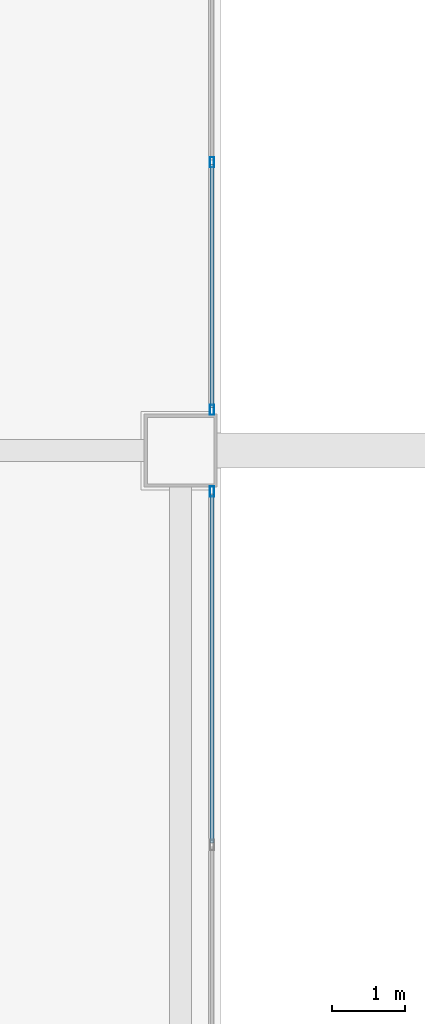
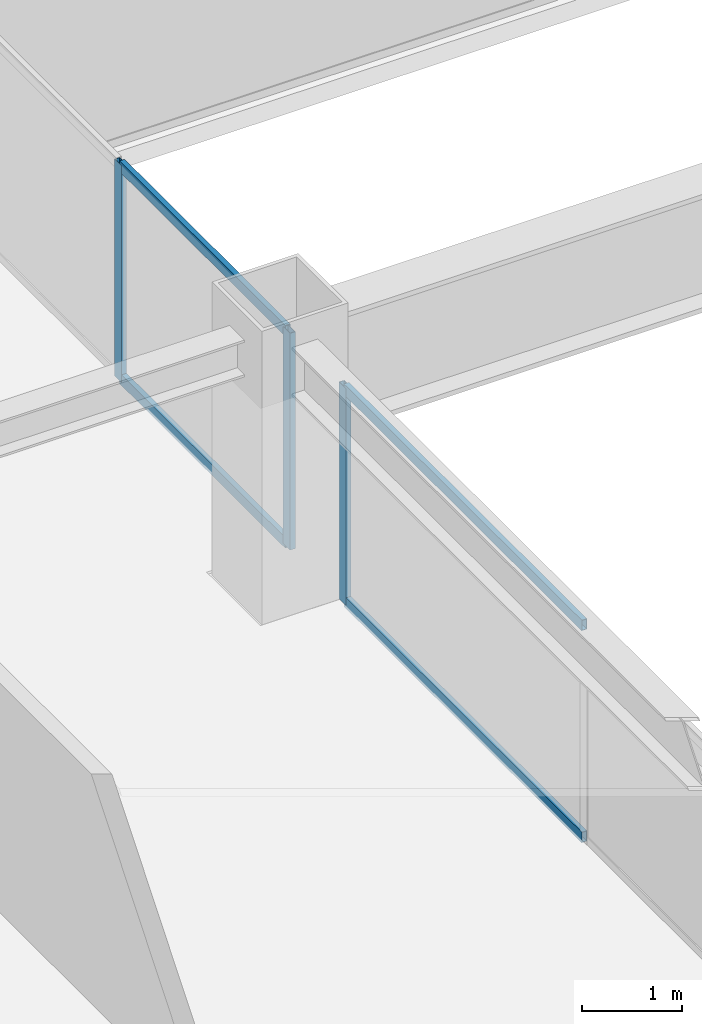
# One storey, part 8 of 32: 7 members, 2 elements without a shape of their own.
"""IFC4 building model written with IfcOpenShell, lengths in metres."""

from ifc_helpers import new_model, si_unit, direction, frame, origin, origin_2d, place, context, subcontext, project, spatial, hollow_rectangle, extrude, source, transform, mapped, material, layer, layer_set, material_profile, profile_set, type_object, element, aggregate, save


model = new_model("IFC4")

# Units and contexts
model_context = context("Model", 3, precision=1e-05, world=origin(), true_north=direction((0.0, 1.0)))
body_context = subcontext(model_context, "Body", "Model", "MODEL_VIEW")
ifc_project = project(units=[si_unit("LENGTHUNIT", "METRE"), si_unit("AREAUNIT", "SQUARE_METRE"), si_unit("VOLUMEUNIT", "CUBIC_METRE"), si_unit("PLANEANGLEUNIT", "RADIAN"), si_unit("MASSUNIT", "GRAM", prefix="KILO")], contexts=[model_context])

# Site, building, storey
site_placement = place(None, origin())
site = spatial("IfcSite", under=ifc_project, at=site_placement, CompositionType="ELEMENT")
building_placement = place(site_placement, origin())
building = spatial("IfcBuilding", under=site, at=building_placement, Name="Sumidabori Civic Tower", CompositionType="ELEMENT")
storey_placement = place(building_placement, frame((0.0, 0.0, 225.199951171875)))
storey = spatial("IfcBuildingStorey", under=building, at=storey_placement, Name="L58", CompositionType="ELEMENT", Elevation=225.199951171875)

# Curtain wall, members
ifc_material = material(Name="Anodised Bronze Aluminium AW-6063-T6", Category="aluminium")
ifc_layer = layer(ifc_material, 0.179931640625, Name="Anodised Bronze Aluminium AW-6063-T6")
ifc_layer_set = layer_set([ifc_layer], Name="Anodised Bronze Aluminium AW-6063-T6")
curtain_wall_type = type_object("IfcCurtainWallType", Name="CW-SYS-4", PredefinedType="NOTDEFINED", material=ifc_layer_set)
curtain_wall_1_placement = place(storey_placement, origin())
curtain_wall_1 = element("IfcCurtainWall", 1, at=curtain_wall_1_placement, inside=storey, type_object=curtain_wall_type, Name="Curtain Wall CW:L58:R03", PredefinedType="NOTDEFINED")
ifc_material_profile_1 = material_profile(ifc_material, hollow_rectangle(XDim=0.06005859375, YDim=0.1298828125, WallThickness=0.0048828125, at=origin_2d()), Name="ALU TRANSOM 130x60")
ifc_profile_set_1 = profile_set([ifc_material_profile_1], Name="Anodised Bronze Aluminium AW-6063-T6")
member_type_1 = type_object("IfcMemberType", Name="CW-TRN-130", PredefinedType="USERDEFINED", material=ifc_profile_set_1)
shared_shape_1 = source(origin(), body_context, "Body", "SweptSolid", [
    extrude(hollow_rectangle(XDim=0.06005859375, YDim=0.1298828125, WallThickness=0.0048828125, at=origin_2d()), origin(), (0.0, 0.0, 1.0), 4.780029296875),
])
member_1_placement = place(storey_placement, frame((-7.969970703125, -5.3701171875, 0.030029296875), z_axis=(0.0, 1.0, 0.0), x_axis=(-1.0, 0.0, 0.0)))
member_1 = element("IfcMember", 2, at=member_1_placement, type_object=member_type_1, Name="CW-4 transom 2.1", ObjectType="TRANSOM", PredefinedType="USERDEFINED", context=body_context, shape_type="MappedRepresentation", body=[
    mapped(shared_shape_1, transform((0.0, 0.0, 0.0), x_axis=(1.0, 0.0, 0.0), y_axis=(0.0, 1.0, 0.0), z_axis=(0.0, 0.0, 1.0), scale=1.0)),
])
member_2_placement = place(storey_placement, frame((-7.969970703125, -5.3701171875, 2.630126953125), z_axis=(0.0, 1.0, 0.0), x_axis=(-1.0, 0.0, 0.0)))
member_2 = element("IfcMember", 3, at=member_2_placement, type_object=member_type_1, Name="CW-4 transom 2.2", ObjectType="TRANSOM", PredefinedType="USERDEFINED", context=body_context, shape_type="MappedRepresentation", body=[
    mapped(shared_shape_1, transform((0.0, 0.0, 0.0), x_axis=(1.0, 0.0, 0.0), y_axis=(0.0, 1.0, 0.0), z_axis=(0.0, 0.0, 1.0), scale=1.0)),
])

curtain_wall_2_placement = place(storey_placement, origin())
curtain_wall_2 = element("IfcCurtainWall", 4, at=curtain_wall_2_placement, inside=storey, type_object=curtain_wall_type, Name="Curtain Wall CW:L58:R04", PredefinedType="NOTDEFINED")
shared_shape_2 = source(origin(), body_context, "Body", "SweptSolid", [
    extrude(hollow_rectangle(XDim=0.06005859375, YDim=0.1298828125, WallThickness=0.0048828125, at=origin_2d()), origin(), (0.0, 0.0, 1.0), 3.329833984375),
])
member_3_placement = place(storey_placement, frame((-7.969970703125, 0.590087890625, 0.030029296875), z_axis=(0.0, 1.0, 0.0), x_axis=(-1.0, 0.0, 0.0)))
member_3 = element("IfcMember", 5, at=member_3_placement, type_object=member_type_1, Name="CW-4 transom 1.1", ObjectType="TRANSOM", PredefinedType="USERDEFINED", context=body_context, shape_type="MappedRepresentation", body=[
    mapped(shared_shape_2, transform((0.0, 0.0, 0.0), x_axis=(1.0, 0.0, 0.0), y_axis=(0.0, 1.0, 0.0), z_axis=(0.0, 0.0, 1.0), scale=1.0)),
])
member_4_placement = place(storey_placement, frame((-7.969970703125, 0.590087890625, 2.630126953125), z_axis=(0.0, 1.0, 0.0), x_axis=(-1.0, 0.0, 0.0)))
member_4 = element("IfcMember", 6, at=member_4_placement, type_object=member_type_1, Name="CW-4 transom 1.2", ObjectType="TRANSOM", PredefinedType="USERDEFINED", context=body_context, shape_type="MappedRepresentation", body=[
    mapped(shared_shape_2, transform((0.0, 0.0, 0.0), x_axis=(1.0, 0.0, 0.0), y_axis=(0.0, 1.0, 0.0), z_axis=(0.0, 0.0, 1.0), scale=1.0)),
])

# Member
ifc_material_profile_2 = material_profile(ifc_material, hollow_rectangle(XDim=0.06005859375, YDim=0.139892578125, WallThickness=0.0048828125, at=origin_2d()), Name="ALU MULLION 140x60")
ifc_profile_set_2 = profile_set([ifc_material_profile_2], Name="Anodised Bronze Aluminium AW-6063-T6")
member_type_2 = type_object("IfcMemberType", Name="CW-MUL-140", PredefinedType="MULLION", material=ifc_profile_set_2)
shared_shape_3 = source(origin(), body_context, "Body", "SweptSolid", [
    extrude(hollow_rectangle(XDim=0.06005859375, YDim=0.139892578125, WallThickness=0.0048828125, at=origin_2d()), origin(), (0.0, 0.0, 1.0), 2.66015625),
])
member_5_placement = place(storey_placement, frame((-7.969970703125, -0.56005859375, 0.0), z_axis=(0.0, 0.0, 1.0), x_axis=(-1.0, 0.0, 0.0)))
member_5 = element("IfcMember", 7, at=member_5_placement, type_object=member_type_2, Name="CW-4 mullion 3", PredefinedType="MULLION", context=body_context, shape_type="MappedRepresentation", body=[
    mapped(shared_shape_3, transform((0.0, 0.0, 0.0), x_axis=(1.0, 0.0, 0.0), y_axis=(0.0, 1.0, 0.0), z_axis=(0.0, 0.0, 1.0), scale=1.0)),
])

aggregate(curtain_wall_1, [member_5, member_1, member_2])

member_6_placement = place(storey_placement, frame((-7.969970703125, 0.56005859375, 0.0), z_axis=(0.0, 0.0, 1.0), x_axis=(-1.0, 0.0, 0.0)))
member_6 = element("IfcMember", 8, at=member_6_placement, type_object=member_type_2, Name="CW-4 mullion 1", PredefinedType="MULLION", context=body_context, shape_type="MappedRepresentation", body=[
    mapped(shared_shape_3, transform((0.0, 0.0, 0.0), x_axis=(1.0, 0.0, 0.0), y_axis=(0.0, 1.0, 0.0), z_axis=(0.0, 0.0, 1.0), scale=1.0)),
])

member_7_placement = place(storey_placement, frame((-7.969970703125, 3.949951171875, 0.0), z_axis=(0.0, 0.0, 1.0), x_axis=(-1.0, 0.0, 0.0)))
member_7 = element("IfcMember", 9, at=member_7_placement, type_object=member_type_2, Name="CW-4 mullion 2", PredefinedType="MULLION", context=body_context, shape_type="MappedRepresentation", body=[
    mapped(shared_shape_3, transform((0.0, 0.0, 0.0), x_axis=(1.0, 0.0, 0.0), y_axis=(0.0, 1.0, 0.0), z_axis=(0.0, 0.0, 1.0), scale=1.0)),
])

aggregate(curtain_wall_2, [member_6, member_7, member_3, member_4])

save(model, "model.ifc")
